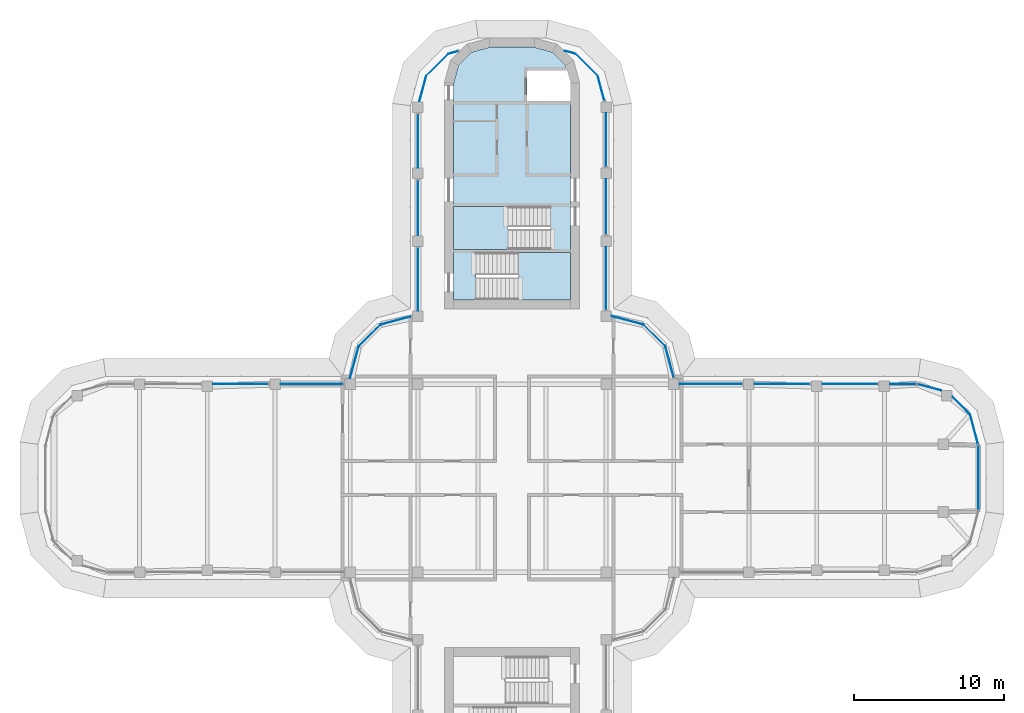
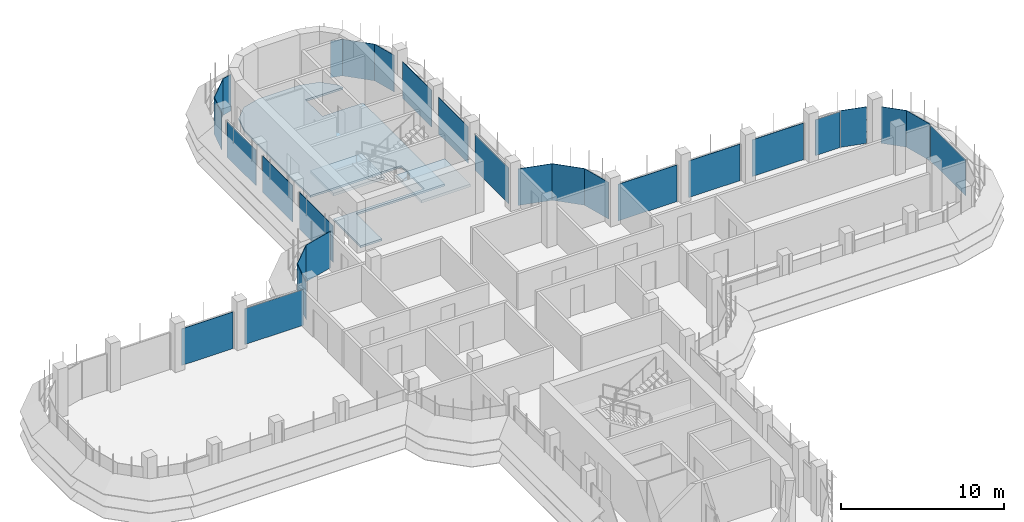
# One storey, part 12 of 19: 28 plates, 3 slabs, 22 elements without a shape of their own.
"""IFC4 building model written with IfcOpenShell, lengths in metres."""

import ifcopenshell
import ifcopenshell.guid

model = None  # the IFC model being written
_history = None  # IfcOwnerHistory: only IFC2X3 demands one
_inside = {}  # id of a spatial element -> (the spatial element, [elements in it])
_under = {}  # id of a project, library or spatial element -> (it, [spatial elements below it])
_declared = {}  # id of a project -> (the project, [libraries it declares])
_typed = {}  # id of a type object -> (the type object, [elements of that type])
_made_of = {}  # id of a material, layer set ... -> (it, [elements and type objects made of it])


def new_model(schema):
    """Start an empty IFC model of exactly this schema.

    Asked for "IFC4X3", IfcOpenShell would pick the latest addendum, in which some entities
    have other attributes; the version numbers below select the first issue.
    IFC2X3 requires an IfcOwnerHistory on every rooted entity: one is made here for all.
    """
    global model, _history
    if schema == "IFC4X3":
        model = ifcopenshell.file(schema_version=(4, 3, 0, 0))
    else:
        model = ifcopenshell.file(schema=schema)
    _inside.clear()
    _under.clear()
    _declared.clear()
    _typed.clear()
    _made_of.clear()
    _history = None
    if model.schema == "IFC2X3":
        org = make("IfcOrganization", Name="unknown")
        user = make(
            "IfcPersonAndOrganization",
            ThePerson=make("IfcPerson", FamilyName="unknown"),
            TheOrganization=org,
        )
        app = make(
            "IfcApplication",
            ApplicationDeveloper=org,
            Version="unknown",
            ApplicationFullName="unknown",
            ApplicationIdentifier="unknown",
        )
        _history = make(
            "IfcOwnerHistory",
            OwningUser=user,
            OwningApplication=app,
            ChangeAction="ADDED",
            CreationDate=0,
        )
    return model


def make(cls, **values):
    """One entity of the class cls with the attributes given. An attribute that is None is left unset."""
    return model.create_entity(
        cls, **{name: value for name, value in values.items() if value is not None}
    )


def rooted(cls, **values):
    """An entity with a GlobalId (a new one), such as an element, a storey or a relation."""
    return make(cls, GlobalId=ifcopenshell.guid.new(), OwnerHistory=_history, **values)


def si_unit(unit_type, name, prefix=None):
    """IfcSIUnit, for example si_unit("LENGTHUNIT", "METRE", prefix="MILLI")."""
    return make("IfcSIUnit", UnitType=unit_type, Prefix=prefix, Name=name)


def assignment(units):
    """IfcUnitAssignment: the units of a project."""
    return None if units is None else make("IfcUnitAssignment", Units=units)


def point(xyz):
    """IfcCartesianPoint."""
    return None if xyz is None else make("IfcCartesianPoint", Coordinates=xyz)


def direction(xyz):
    """IfcDirection."""
    return None if xyz is None else make("IfcDirection", DirectionRatios=xyz)


def frame(location, z_axis=None, x_axis=None):
    """IfcAxis2Placement3D, a coordinate frame: its origin and axes. An axis left out is left unset."""
    return make(
        "IfcAxis2Placement3D",
        Location=point(location),
        Axis=direction(z_axis),
        RefDirection=direction(x_axis),
    )


def origin():
    """The frame at (0, 0, 0) with its axes left unset."""
    return frame((0.0, 0.0, 0.0))


def place(relative_to, where):
    """IfcLocalPlacement: puts the frame where relative to a parent placement (None: the world)."""
    return make(
        "IfcLocalPlacement", PlacementRelTo=relative_to, RelativePlacement=where
    )


def context(
    kind, dimensions, precision=None, world=None, true_north=None, identifier=None
):
    """IfcGeometricRepresentationContext, for example the 3D "Model" context."""
    return make(
        "IfcGeometricRepresentationContext",
        ContextIdentifier=identifier,
        ContextType=kind,
        CoordinateSpaceDimension=dimensions,
        Precision=precision,
        WorldCoordinateSystem=world,
        TrueNorth=true_north,
    )


def subcontext(parent, identifier, kind, view, scale=None):
    """IfcGeometricRepresentationSubContext, for example "Body" below "Model"."""
    return make(
        "IfcGeometricRepresentationSubContext",
        ContextIdentifier=identifier,
        ContextType=kind,
        ParentContext=parent,
        TargetScale=scale,
        TargetView=view,
    )


def project(units=None, contexts=None):
    """IfcProject with its units and contexts."""
    return rooted(
        "IfcProject",
        Name="project",
        RepresentationContexts=contexts,
        UnitsInContext=assignment(units),
    )


def spatial(cls, under=None, at=None, **own):
    """A site, building, storey or space (cls), placed at a placement, below another one or the project."""
    s = rooted(cls, ObjectPlacement=at, **own)
    if under is not None:
        _under.setdefault(under.id(), (under, []))[1].append(s)
    return s


def polyline(points):
    """IfcPolyline through the points."""
    return make("IfcPolyline", Points=[point(p) for p in points])


def outline(outer, holes=None, kind="AREA"):
    """IfcArbitraryClosedProfileDef: a profile drawn as a closed curve; with holes, ...WithVoids."""
    if holes is None:
        return make("IfcArbitraryClosedProfileDef", ProfileType=kind, OuterCurve=outer)
    return make(
        "IfcArbitraryProfileDefWithVoids",
        ProfileType=kind,
        OuterCurve=outer,
        InnerCurves=holes,
    )


def extrude(swept, where, along, depth):
    """IfcExtrudedAreaSolid: the profile swept, set in the frame where, extruded along a direction by depth."""
    return make(
        "IfcExtrudedAreaSolid",
        SweptArea=swept,
        Position=where,
        ExtrudedDirection=direction(along),
        Depth=depth,
    )


def shape(context_of_items, identifier, shape_type, items):
    """IfcShapeRepresentation: the items that make up one representation, for example the "Body"."""
    return make(
        "IfcShapeRepresentation",
        ContextOfItems=context_of_items,
        RepresentationIdentifier=identifier,
        RepresentationType=shape_type,
        Items=items,
    )


def source(mapping_origin, context_of_items, identifier, shape_type, items):
    """IfcRepresentationMap: a shape defined once, which mapped items show again and again."""
    return make(
        "IfcRepresentationMap",
        MappingOrigin=mapping_origin,
        MappedRepresentation=shape(context_of_items, identifier, shape_type, items),
    )


def transform(
    local_origin,
    x_axis=None,
    y_axis=None,
    z_axis=None,
    scale=None,
    scale2=None,
    scale3=None,
    uniform=True,
):
    """IfcCartesianTransformationOperator3D, or its non-uniform kind. x_axis, y_axis, z_axis: its Axis1, 2, 3."""
    if uniform:
        return make(
            "IfcCartesianTransformationOperator3D",
            Axis1=direction(x_axis),
            Axis2=direction(y_axis),
            LocalOrigin=point(local_origin),
            Scale=scale,
            Axis3=direction(z_axis),
        )
    return make(
        "IfcCartesianTransformationOperator3DnonUniform",
        Axis1=direction(x_axis),
        Axis2=direction(y_axis),
        LocalOrigin=point(local_origin),
        Scale=scale,
        Axis3=direction(z_axis),
        Scale2=scale2,
        Scale3=scale3,
    )


def mapped(mapping_source, mapping_target):
    """IfcMappedItem: shows the shape of a source again, moved by a transform."""
    return make(
        "IfcMappedItem", MappingSource=mapping_source, MappingTarget=mapping_target
    )


def material(Name=None, Category=None):
    """IfcMaterial."""
    return make("IfcMaterial", Name=Name, Category=Category)


def layer(
    of_material, thickness, ventilated=None, Name=None, Category=None, Priority=None
):
    """IfcMaterialLayer: one layer of a wall or slab, of a material (None: an air gap)."""
    return make(
        "IfcMaterialLayer",
        Material=of_material,
        LayerThickness=thickness,
        IsVentilated=ventilated,
        Name=Name,
        Category=Category,
        Priority=Priority,
    )


def layer_set(layers, Name=None):
    """IfcMaterialLayerSet."""
    return make("IfcMaterialLayerSet", MaterialLayers=layers, LayerSetName=Name)


def made_of(thing, what):
    """Note that an element or type object is made of a material, layer set ...; save() writes the relation."""
    if what is not None:
        _made_of.setdefault(what.id(), (what, []))[1].append(thing)
    return thing


def type_object(cls, material=None, **own):
    """A type object (cls), such as IfcWallType, which elements share."""
    return made_of(rooted(cls, **own), material)


def element(
    cls,
    number,
    at=None,
    inside=None,
    cuts=None,
    type_object=None,
    material=None,
    context=None,
    identifier="Body",
    shape_type=None,
    held_by="IfcProductDefinitionShape",
    body=None,
    shapes=None,
    **own,
):
    """One element of the class cls, such as IfcWall. Its Tag is "e" and its number.

    at: its placement. inside: the storey or other place that contains it. cuts: it is an
    opening in that element (IfcRelVoidsElement). A single representation is given by context,
    identifier, shape_type and body (its items); several are given by shapes. held_by: the class
    of the entity that holds the representations. save() writes the other relations.
    """
    e = rooted(cls, Tag="e%d" % number, ObjectPlacement=at, **own)
    if body is not None:
        shapes = [shape(context, identifier, shape_type, body)]
    if shapes is not None:
        e.Representation = make(held_by, Representations=shapes)
    if inside is not None:
        _inside.setdefault(inside.id(), (inside, []))[1].append(e)
    if cuts is not None:
        rooted(
            "IfcRelVoidsElement", RelatingBuildingElement=cuts, RelatedOpeningElement=e
        )
    if type_object is not None:
        _typed.setdefault(type_object.id(), (type_object, []))[1].append(e)
    return made_of(e, material)


def aggregate(whole, parts):
    """IfcRelAggregates: a whole, such as a stair, and the parts it consists of."""
    return rooted("IfcRelAggregates", RelatingObject=whole, RelatedObjects=parts)


def save(model, path):
    """Write the relations noted so far, then the file.

    IfcRelAggregates (storeys below a building ...), IfcRelContainedInSpatialStructure (elements
    in a storey), IfcRelDefinesByType, IfcRelAssociatesMaterial and IfcRelDeclares: one each for
    every whole, place, type object, material and project.
    """
    for whole, parts in _under.values():
        aggregate(whole, parts)
    for where, things in _inside.values():
        rooted(
            "IfcRelContainedInSpatialStructure",
            RelatedElements=things,
            RelatingStructure=where,
        )
    for kind, things in _typed.values():
        rooted("IfcRelDefinesByType", RelatedObjects=things, RelatingType=kind)
    for what, things in _made_of.values():
        rooted("IfcRelAssociatesMaterial", RelatedObjects=things, RelatingMaterial=what)
    for by, libraries in _declared.values():
        rooted("IfcRelDeclares", RelatingContext=by, RelatedDefinitions=libraries)
    model.write(path)


model = new_model("IFC4")

# Units and contexts
model_context = context("Model", 3, precision=1e-05, world=origin(), true_north=direction((0.0, 1.0)))
body_context = subcontext(model_context, "Body", "Model", "MODEL_VIEW")
ifc_project = project(units=[si_unit("LENGTHUNIT", "METRE"), si_unit("AREAUNIT", "SQUARE_METRE"), si_unit("VOLUMEUNIT", "CUBIC_METRE"), si_unit("PLANEANGLEUNIT", "RADIAN"), si_unit("MASSUNIT", "GRAM", prefix="KILO")], contexts=[model_context])

# Site, building, storey
site_placement = place(None, origin())
site = spatial("IfcSite", under=ifc_project, at=site_placement, CompositionType="ELEMENT")
building_placement = place(site_placement, origin())
building = spatial("IfcBuilding", under=site, at=building_placement, Name="Zarbagh Exchange Tower", CompositionType="ELEMENT")
storey_placement = place(building_placement, frame((0.0, 0.0, 233.39990234375)))
storey = spatial("IfcBuildingStorey", under=building, at=storey_placement, Name="L57", CompositionType="ELEMENT", Elevation=233.39990234375)

# Slab
ifc_material_1 = material(Name="Concrete C40/50", Category="concrete")
ifc_layer_1 = layer(ifc_material_1, 0.14990234375)
ifc_layer_set_1 = layer_set([ifc_layer_1], Name="Core floor slab 150 C40/50")
slab_type_1 = type_object("IfcSlabType", Name="Core floor slab 150 C40/50", PredefinedType="FLOOR", material=ifc_layer_set_1)
slab_1_placement = place(storey_placement, frame((0.0, 0.0, -0.14990234375)))
element("IfcSlab", 1, at=slab_1_placement, inside=storey, type_object=slab_type_1, Name="S17 core N", PredefinedType="FLOOR", context=body_context, shape_type="SweptSolid", body=[
    extrude(outline(polyline([(-3.89990234375, 11.85009765625), (-3.89990234375, 15.199951171875), (2.550048828125, 15.199951171875), (2.550048828125, 18.050048828125), (-3.89990234375, 18.050048828125), (-3.89990234375, 26.1708984375), (-3.56005859375, 27.439453125), (-2.689453125, 28.31005859375), (-1.4208984375, 28.64990234375), (1.4208984375, 28.64990234375), (2.689453125, 28.31005859375), (3.56005859375, 27.439453125), (3.651123046875, 27.10009765625), (1.0, 27.10009765625), (1.0, 25.050048828125), (3.89990234375, 25.050048828125), (3.89990234375, 15.0), (-2.39990234375, 15.0), (-2.39990234375, 11.85009765625), (-3.89990234375, 11.85009765625)])), origin(), (0.0, 0.0, 1.0), 0.14990234375),
])

# Stair, slab
stair_type = type_object("IfcStairType", Name="Exit stair two-flight half-turn", PredefinedType="HALF_TURN_STAIR", material=ifc_material_1)
stair_1_placement = place(storey_placement, origin())
stair_1 = element("IfcStair", 2, at=stair_1_placement, inside=storey, type_object=stair_type, Name="exit stair ST1", PredefinedType="HALF_TURN_STAIR")
ifc_layer_2 = layer(ifc_material_1, 0.199951171875)
ifc_layer_set_2 = layer_set([ifc_layer_2], Name="Stair landing 200 mm")
slab_type_2 = type_object("IfcSlabType", Name="Stair landing 200 mm", PredefinedType="LANDING", material=ifc_layer_set_2)
slab_2_placement = place(storey_placement, frame((0.0, 0.0, 1.7001953125)))
slab_2 = element("IfcSlab", 3, at=slab_2_placement, type_object=slab_type_2, Name="ST1 landing 1", PredefinedType="LANDING", context=body_context, shape_type="SweptSolid", body=[
    extrude(outline(polyline([(-0.25, 18.050048828125), (-3.89990234375, 18.050048828125), (-3.89990234375, 15.199951171875), (-0.25, 15.199951171875), (-0.25, 18.050048828125)])), origin(), (0.0, 0.0, 1.0), 0.199951171875),
])
aggregate(stair_1, [slab_2])

stair_2_placement = place(storey_placement, origin())
stair_2 = element("IfcStair", 4, at=stair_2_placement, inside=storey, type_object=stair_type, Name="exit stair ST2", PredefinedType="HALF_TURN_STAIR")
slab_3_placement = place(storey_placement, frame((0.0, 0.0, 1.7001953125)))
slab_3 = element("IfcSlab", 5, at=slab_3_placement, type_object=slab_type_2, Name="ST2 landing 1", PredefinedType="LANDING", context=body_context, shape_type="SweptSolid", body=[
    extrude(outline(polyline([(0.39990234375, 11.85009765625), (3.89990234375, 11.85009765625), (3.89990234375, 15.0), (0.39990234375, 15.0), (0.39990234375, 11.85009765625)])), origin(), (0.0, 0.0, 1.0), 0.199951171875),
])
aggregate(stair_2, [slab_3])

# Curtain wall, plate
ifc_material_2 = material(Name="Anodised aluminium frame and glazing", Category="aluminium")
curtain_wall_type = type_object("IfcCurtainWallType", Name="CWB Ribbon glazing, upper zones", PredefinedType="NOTDEFINED", material=ifc_material_2)
curtain_wall_1_placement = place(storey_placement, origin())
curtain_wall_1 = element("IfcCurtainWall", 6, at=curtain_wall_1_placement, inside=storey, type_object=curtain_wall_type, Name="CWB18 curtain wall", PredefinedType="NOTDEFINED")
ifc_material_3 = material(Name="Low-e double glazed unit, 6+12+6 mm")
ifc_layer_3 = layer(ifc_material_3, 0.031982421875)
ifc_layer_set_3 = layer_set([ifc_layer_3], Name="PAB Glazing panel, Low-e double glazed unit, 6+12+6 mm")
plate_type = type_object("IfcPlateType", Name="PAB Glazing panel, Low-e double glazed unit, 6+12+6 mm", PredefinedType="CURTAIN_PANEL", material=ifc_layer_set_3)
shared_shape_1 = source(origin(), body_context, "Body", "SweptSolid", [
    extrude(outline(polyline([(0.0, -0.01611328125), (2.061279296875, -0.01611328125), (2.061279296875, 0.01611328125), (0.0, 0.01611328125), (0.0, -0.01611328125)])), origin(), (0.0, 0.0, 1.0), 2.75),
])
placement = place(storey_placement, origin())
plate_1 = element("IfcPlate", 7, at=placement, type_object=plate_type, Name="CWB18 glazing panel 1.1", PredefinedType="CURTAIN_PANEL", context=body_context, shape_type="MappedRepresentation", body=[
    mapped(shared_shape_1, transform((10.19873046875, 8.7412109375, 0.0), x_axis=(-0.707106781187, 0.707106781187, 0.0), y_axis=(-0.707106781187, -0.707106781187, 0.0), z_axis=(0.0, 0.0, 1.0))),
])
aggregate(curtain_wall_1, [plate_1])

curtain_wall_2_placement = place(storey_placement, origin())
curtain_wall_2 = element("IfcCurtainWall", 8, at=curtain_wall_2_placement, inside=storey, type_object=curtain_wall_type, Name="CWB74 curtain wall", PredefinedType="NOTDEFINED")
plate_2 = element("IfcPlate", 9, at=placement, type_object=plate_type, Name="CWB74 glazing panel 1.1", PredefinedType="CURTAIN_PANEL", context=body_context, shape_type="MappedRepresentation", body=[
    mapped(shared_shape_1, transform((5.69873046875, 26.7412109375, 0.0), x_axis=(-0.707106781187, 0.707106781187, 0.0), y_axis=(-0.707106781187, -0.707106781187, 0.0), z_axis=(0.0, 0.0, 1.0))),
])
aggregate(curtain_wall_2, [plate_2])

curtain_wall_3_placement = place(storey_placement, origin())
curtain_wall_3 = element("IfcCurtainWall", 10, at=curtain_wall_3_placement, inside=storey, type_object=curtain_wall_type, Name="CWB71 curtain wall", PredefinedType="NOTDEFINED")
plate_3 = element("IfcPlate", 11, at=placement, type_object=plate_type, Name="CWB71 glazing panel 1.1", PredefinedType="CURTAIN_PANEL", context=body_context, shape_type="MappedRepresentation", body=[
    mapped(shared_shape_1, transform((-4.2412109375, 28.19873046875, 0.0), x_axis=(-0.707106781187, -0.707106781187, 0.0), y_axis=(0.707106781187, -0.707106781187, 0.0), z_axis=(0.0, 0.0, 1.0))),
])
aggregate(curtain_wall_3, [plate_3])

curtain_wall_4_placement = place(storey_placement, origin())
curtain_wall_4 = element("IfcCurtainWall", 12, at=curtain_wall_4_placement, inside=storey, type_object=curtain_wall_type, Name="CWB30 curtain wall", PredefinedType="NOTDEFINED")
plate_4 = element("IfcPlate", 13, at=placement, type_object=plate_type, Name="CWB30 glazing panel 1.1", PredefinedType="CURTAIN_PANEL", context=body_context, shape_type="MappedRepresentation", body=[
    mapped(shared_shape_1, transform((-8.7412109375, 10.19873046875, 0.0), x_axis=(-0.707106781187, -0.707106781187, 0.0), y_axis=(0.707106781187, -0.707106781187, 0.0), z_axis=(0.0, 0.0, 1.0))),
])
aggregate(curtain_wall_4, [plate_4])

curtain_wall_5_placement = place(storey_placement, origin())
curtain_wall_5 = element("IfcCurtainWall", 14, at=curtain_wall_5_placement, inside=storey, type_object=curtain_wall_type, Name="CWB67 curtain wall", PredefinedType="NOTDEFINED")
shared_shape_2 = source(origin(), body_context, "Body", "SweptSolid", [
    extrude(outline(polyline([(0.0, -0.01611328125), (3.56005859375, -0.01611328125), (3.56005859375, 0.01611328125), (0.0, 0.01611328125), (0.0, -0.01611328125)])), origin(), (0.0, 0.0, 1.0), 2.75),
])
plate_5 = element("IfcPlate", 15, at=placement, type_object=plate_type, Name="CWB67 glazing panel 3.1", PredefinedType="CURTAIN_PANEL", context=body_context, shape_type="MappedRepresentation", body=[
    mapped(shared_shape_2, transform((6.25, 20.699951171875, 0.0), x_axis=(0.0, 1.0, 0.0), y_axis=(-1.0, 0.0, 0.0), z_axis=(0.0, 0.0, 1.0))),
])

curtain_wall_6_placement = place(storey_placement, origin())
curtain_wall_6 = element("IfcCurtainWall", 16, at=curtain_wall_6_placement, inside=storey, type_object=curtain_wall_type, Name="CWB12 curtain wall", PredefinedType="NOTDEFINED")
shared_shape_3 = source(origin(), body_context, "Body", "SweptSolid", [
    extrude(outline(polyline([(0.0, -0.01611328125), (4.308349609375, -0.01611328125), (4.308349609375, 0.01611328125), (0.0, 0.01611328125), (0.0, -0.01611328125)])), origin(), (0.0, 0.0, 1.0), 2.68994140625),
])
plate_6 = element("IfcPlate", 17, at=placement, type_object=plate_type, Name="CWB12 glazing panel 1.1", PredefinedType="CURTAIN_PANEL", context=body_context, shape_type="MappedRepresentation", body=[
    mapped(shared_shape_3, transform((31.0, -2.124267578125, 0.0), x_axis=(0.0, 1.0, 0.0), y_axis=(-1.0, 0.0, 0.0), z_axis=(0.0, 0.0, 1.0))),
])
aggregate(curtain_wall_6, [plate_6])

curtain_wall_7_placement = place(storey_placement, origin())
curtain_wall_7 = element("IfcCurtainWall", 18, at=curtain_wall_7_placement, inside=storey, type_object=curtain_wall_type, Name="CWB13 curtain wall", PredefinedType="NOTDEFINED")
shared_shape_4 = source(origin(), body_context, "Body", "SweptSolid", [
    extrude(outline(polyline([(0.0, -0.01611328125), (2.069580078125, -0.01611328125), (2.069580078125, 0.01611328125), (0.0, 0.01611328125), (0.0, -0.01611328125)])), origin(), (0.0, 0.0, 1.0), 2.75),
])
plate_7 = element("IfcPlate", 19, at=placement, type_object=plate_type, Name="CWB13 glazing panel 1.1", PredefinedType="CURTAIN_PANEL", context=body_context, shape_type="MappedRepresentation", body=[
    mapped(shared_shape_4, transform((30.984375, 2.2421875, 0.0), x_axis=(-0.258824779902, 0.965924289636, 0.0), y_axis=(-0.965924289636, -0.258824779902, 0.0), z_axis=(0.0, 0.0, 1.0))),
])
aggregate(curtain_wall_7, [plate_7])

curtain_wall_8_placement = place(storey_placement, origin())
curtain_wall_8 = element("IfcCurtainWall", 20, at=curtain_wall_8_placement, inside=storey, type_object=curtain_wall_type, Name="CWB73 curtain wall", PredefinedType="NOTDEFINED")
shared_shape_5 = source(origin(), body_context, "Body", "SweptSolid", [
    extrude(outline(polyline([(0.0, -0.01611328125), (3.56005859375, -0.01611328125), (3.56005859375, 0.01611328125), (0.0, 0.01611328125), (0.0, -0.01611328125)])), origin(), (0.0, 0.0, 1.0), 2.68994140625),
])
plate_8 = element("IfcPlate", 21, at=placement, type_object=plate_type, Name="CWB73 glazing panel 1.1", PredefinedType="CURTAIN_PANEL", context=body_context, shape_type="MappedRepresentation", body=[
    mapped(shared_shape_5, transform((-6.25, 24.199951171875, 0.0), x_axis=(0.0, -1.0, 0.0), y_axis=(1.0, 0.0, 0.0), z_axis=(0.0, 0.0, 1.0))),
])

curtain_wall_9_placement = place(storey_placement, origin())
curtain_wall_9 = element("IfcCurtainWall", 22, at=curtain_wall_9_placement, inside=storey, type_object=curtain_wall_type, Name="CWB72 curtain wall", PredefinedType="NOTDEFINED")
shared_shape_6 = source(origin(), body_context, "Body", "SweptSolid", [
    extrude(outline(polyline([(0.0, -0.01611328125), (1.76123046875, -0.01611328125), (1.76123046875, 0.01611328125), (0.0, 0.01611328125), (0.0, -0.01611328125)])), origin(), (0.0, 0.0, 1.0), 2.75),
])
plate_9 = element("IfcPlate", 23, at=placement, type_object=plate_type, Name="CWB72 glazing panel 1.1", PredefinedType="CURTAIN_PANEL", context=body_context, shape_type="MappedRepresentation", body=[
    mapped(shared_shape_6, transform((-5.69873046875, 26.7412109375, 0.0), x_axis=(-0.258824779902, -0.965924289636, 0.0), y_axis=(0.965924289636, -0.258824779902, 0.0), z_axis=(0.0, 0.0, 1.0))),
])
aggregate(curtain_wall_9, [plate_9])

# Curtain wall, plates
curtain_wall_10_placement = place(storey_placement, origin())
curtain_wall_10 = element("IfcCurtainWall", 24, at=curtain_wall_10_placement, inside=storey, type_object=curtain_wall_type, Name="CWB16 curtain wall", PredefinedType="NOTDEFINED")
shared_shape_7 = source(origin(), body_context, "Body", "SweptSolid", [
    extrude(outline(polyline([(0.0, -0.01611328125), (3.659912109375, -0.01611328125), (3.659912109375, 0.01611328125), (0.0, 0.01611328125), (0.0, -0.01611328125)])), origin(), (0.0, 0.0, 1.0), 2.75),
])
plate_10 = element("IfcPlate", 25, at=placement, type_object=plate_type, Name="CWB16 glazing panel 2.1", PredefinedType="CURTAIN_PANEL", context=body_context, shape_type="MappedRepresentation", body=[
    mapped(shared_shape_7, transform((24.300048828125, 6.25, 0.0), x_axis=(-1.0, 0.0, 0.0), y_axis=(0.0, -1.0, 0.0), z_axis=(0.0, 0.0, 1.0))),
])
plate_11 = element("IfcPlate", 26, at=placement, type_object=plate_type, Name="CWB16 glazing panel 3.1", PredefinedType="CURTAIN_PANEL", context=body_context, shape_type="MappedRepresentation", body=[
    mapped(shared_shape_7, transform((19.800048828125, 6.25, 0.0), x_axis=(-1.0, 0.0, 0.0), y_axis=(0.0, -1.0, 0.0), z_axis=(0.0, 0.0, 1.0))),
])

# Plate
plate_12 = element("IfcPlate", 27, at=placement, type_object=plate_type, Name="CWB67 glazing panel 2.1", PredefinedType="CURTAIN_PANEL", context=body_context, shape_type="MappedRepresentation", body=[
    mapped(shared_shape_7, transform((6.25, 16.199951171875, 0.0), x_axis=(0.0, 1.0, 0.0), y_axis=(-1.0, 0.0, 0.0), z_axis=(0.0, 0.0, 1.0))),
])

plate_13 = element("IfcPlate", 28, at=placement, type_object=plate_type, Name="CWB73 glazing panel 2.1", PredefinedType="CURTAIN_PANEL", context=body_context, shape_type="MappedRepresentation", body=[
    mapped(shared_shape_7, transform((-6.25, 19.800048828125, 0.0), x_axis=(0.0, -1.0, 0.0), y_axis=(1.0, 0.0, 0.0), z_axis=(0.0, 0.0, 1.0))),
])

# Curtain wall, plate
curtain_wall_11_placement = place(storey_placement, origin())
curtain_wall_11 = element("IfcCurtainWall", 29, at=curtain_wall_11_placement, inside=storey, type_object=curtain_wall_type, Name="CWB58 curtain wall", PredefinedType="NOTDEFINED")
plate_14 = element("IfcPlate", 30, at=placement, type_object=plate_type, Name="CWB58 glazing panel 2.1", PredefinedType="CURTAIN_PANEL", context=body_context, shape_type="MappedRepresentation", body=[
    mapped(shared_shape_7, transform((-16.199951171875, 6.25, 0.0), x_axis=(-1.0, 0.0, 0.0), y_axis=(0.0, -1.0, 0.0), z_axis=(0.0, 0.0, 1.0))),
])

# Plate
shared_shape_8 = source(origin(), body_context, "Body", "SweptSolid", [
    extrude(outline(polyline([(0.0, -0.01611328125), (4.159912109375, -0.01611328125), (4.159912109375, 0.01611328125), (0.0, 0.01611328125), (0.0, -0.01611328125)])), origin(), (0.0, 0.0, 1.0), 2.75),
])
plate_15 = element("IfcPlate", 31, at=placement, type_object=plate_type, Name="CWB16 glazing panel 4.1", PredefinedType="CURTAIN_PANEL", context=body_context, shape_type="MappedRepresentation", body=[
    mapped(shared_shape_8, transform((15.300048828125, 6.25, 0.0), x_axis=(-1.0, 0.0, 0.0), y_axis=(0.0, -1.0, 0.0), z_axis=(0.0, 0.0, 1.0))),
])

plate_16 = element("IfcPlate", 32, at=placement, type_object=plate_type, Name="CWB73 glazing panel 3.1", PredefinedType="CURTAIN_PANEL", context=body_context, shape_type="MappedRepresentation", body=[
    mapped(shared_shape_8, transform((-6.25, 15.300048828125, 0.0), x_axis=(0.0, -1.0, 0.0), y_axis=(1.0, 0.0, 0.0), z_axis=(0.0, 0.0, 1.0))),
])

aggregate(curtain_wall_8, [plate_8, plate_13, plate_16])

# Curtain wall, plate
curtain_wall_12_placement = place(storey_placement, origin())
curtain_wall_12 = element("IfcCurtainWall", 33, at=curtain_wall_12_placement, inside=storey, type_object=curtain_wall_type, Name="CWB17 curtain wall", PredefinedType="NOTDEFINED")
shared_shape_9 = source(origin(), body_context, "Body", "SweptSolid", [
    extrude(outline(polyline([(0.0, -0.01611328125), (2.115234375, -0.01611328125), (2.115234375, 0.01611328125), (0.0, 0.01611328125), (0.0, -0.01611328125)])), origin(), (0.0, 0.0, 1.0), 2.75),
])
plate_17 = element("IfcPlate", 34, at=placement, type_object=plate_type, Name="CWB17 glazing panel 1.1", PredefinedType="CURTAIN_PANEL", context=body_context, shape_type="MappedRepresentation", body=[
    mapped(shared_shape_9, transform((10.746337890625, 6.697998046875, 0.0), x_axis=(-0.258824779902, 0.965924289636, 0.0), y_axis=(-0.965924289636, -0.258824779902, 0.0), z_axis=(0.0, 0.0, 1.0))),
])
aggregate(curtain_wall_12, [plate_17])

curtain_wall_13_placement = place(storey_placement, origin())
curtain_wall_13 = element("IfcCurtainWall", 35, at=curtain_wall_13_placement, inside=storey, type_object=curtain_wall_type, Name="CWB29 curtain wall", PredefinedType="NOTDEFINED")
plate_18 = element("IfcPlate", 36, at=placement, type_object=plate_type, Name="CWB29 glazing panel 1.1", PredefinedType="CURTAIN_PANEL", context=body_context, shape_type="MappedRepresentation", body=[
    mapped(shared_shape_9, transform((-6.697998046875, 10.746337890625, 0.0), x_axis=(-0.965924289636, -0.258824779902, 0.0), y_axis=(0.258824779902, -0.965924289636, 0.0), z_axis=(0.0, 0.0, 1.0))),
])
aggregate(curtain_wall_13, [plate_18])

curtain_wall_14_placement = place(storey_placement, origin())
curtain_wall_14 = element("IfcCurtainWall", 37, at=curtain_wall_14_placement, inside=storey, type_object=curtain_wall_type, Name="CWB19 curtain wall", PredefinedType="NOTDEFINED")
shared_shape_10 = source(origin(), body_context, "Body", "SweptSolid", [
    extrude(outline(polyline([(0.0, -0.01611328125), (2.17529296875, -0.01611328125), (2.17529296875, 0.01611328125), (0.0, 0.01611328125), (0.0, -0.01611328125)])), origin(), (0.0, 0.0, 1.0), 2.75),
])
plate_19 = element("IfcPlate", 38, at=placement, type_object=plate_type, Name="CWB19 glazing panel 1.1", PredefinedType="CURTAIN_PANEL", context=body_context, shape_type="MappedRepresentation", body=[
    mapped(shared_shape_10, transform((8.7412109375, 10.19873046875, 0.0), x_axis=(-0.965924289636, 0.258824779902, 0.0), y_axis=(-0.258824779902, -0.965924289636, 0.0), z_axis=(0.0, 0.0, 1.0))),
])
aggregate(curtain_wall_14, [plate_19])

curtain_wall_15_placement = place(storey_placement, origin())
curtain_wall_15 = element("IfcCurtainWall", 39, at=curtain_wall_15_placement, inside=storey, type_object=curtain_wall_type, Name="CWB31 curtain wall", PredefinedType="NOTDEFINED")
plate_20 = element("IfcPlate", 40, at=placement, type_object=plate_type, Name="CWB31 glazing panel 1.1", PredefinedType="CURTAIN_PANEL", context=body_context, shape_type="MappedRepresentation", body=[
    mapped(shared_shape_10, transform((-10.19873046875, 8.7412109375, 0.0), x_axis=(-0.258824779902, -0.965924289636, 0.0), y_axis=(0.965924289636, -0.258824779902, 0.0), z_axis=(0.0, 0.0, 1.0))),
])
aggregate(curtain_wall_15, [plate_20])

# Plate
shared_shape_11 = source(origin(), body_context, "Body", "SweptSolid", [
    extrude(outline(polyline([(0.0, -0.01611328125), (4.159912109375, -0.01611328125), (4.159912109375, 0.01611328125), (0.0, 0.01611328125), (0.0, -0.01611328125)])), origin(), (0.0, 0.0, 1.0), 2.68994140625),
])
plate_21 = element("IfcPlate", 41, at=placement, type_object=plate_type, Name="CWB67 glazing panel 1.1", PredefinedType="CURTAIN_PANEL", context=body_context, shape_type="MappedRepresentation", body=[
    mapped(shared_shape_11, transform((6.25, 11.199951171875, 0.0), x_axis=(0.0, 1.0, 0.0), y_axis=(-1.0, 0.0, 0.0), z_axis=(0.0, 0.0, 1.0))),
])

aggregate(curtain_wall_5, [plate_21, plate_12, plate_5])

plate_22 = element("IfcPlate", 42, at=placement, type_object=plate_type, Name="CWB58 glazing panel 1.1", PredefinedType="CURTAIN_PANEL", context=body_context, shape_type="MappedRepresentation", body=[
    mapped(shared_shape_11, transform((-11.199951171875, 6.25, 0.0), x_axis=(-1.0, 0.0, 0.0), y_axis=(0.0, -1.0, 0.0), z_axis=(0.0, 0.0, 1.0))),
])

aggregate(curtain_wall_11, [plate_22, plate_14])

# Curtain wall, plate
curtain_wall_16_placement = place(storey_placement, origin())
curtain_wall_16 = element("IfcCurtainWall", 43, at=curtain_wall_16_placement, inside=storey, type_object=curtain_wall_type, Name="CWB14 curtain wall", PredefinedType="NOTDEFINED")
shared_shape_12 = source(origin(), body_context, "Body", "SweptSolid", [
    extrude(outline(polyline([(0.0, -0.01611328125), (1.62744140625, -0.01611328125), (1.62744140625, 0.01611328125), (0.0, 0.01611328125), (0.0, -0.01611328125)])), origin(), (0.0, 0.0, 1.0), 2.75),
])
plate_23 = element("IfcPlate", 44, at=placement, type_object=plate_type, Name="CWB14 glazing panel 1.1", PredefinedType="CURTAIN_PANEL", context=body_context, shape_type="MappedRepresentation", body=[
    mapped(shared_shape_12, transform((30.44873046875, 4.2412109375, 0.0), x_axis=(-0.707106781187, 0.707106781187, 0.0), y_axis=(-0.707106781187, -0.707106781187, 0.0), z_axis=(0.0, 0.0, 1.0))),
])
aggregate(curtain_wall_16, [plate_23])

curtain_wall_17_placement = place(storey_placement, origin())
curtain_wall_17 = element("IfcCurtainWall", 45, at=curtain_wall_17_placement, inside=storey, type_object=curtain_wall_type, Name="CWB15 curtain wall", PredefinedType="NOTDEFINED")
shared_shape_13 = source(origin(), body_context, "Body", "SweptSolid", [
    extrude(outline(polyline([(0.0, -0.01611328125), (1.6396484375, -0.01611328125), (1.6396484375, 0.01611328125), (0.0, 0.01611328125), (0.0, -0.01611328125)])), origin(), (0.0, 0.0, 1.0), 2.75),
])
plate_24 = element("IfcPlate", 46, at=placement, type_object=plate_type, Name="CWB15 glazing panel 1.1", PredefinedType="CURTAIN_PANEL", context=body_context, shape_type="MappedRepresentation", body=[
    mapped(shared_shape_13, transform((28.51806640625, 5.82568359375, 0.0), x_axis=(-0.965924289636, 0.258824779902, 0.0), y_axis=(-0.258824779902, -0.965924289636, 0.0), z_axis=(0.0, 0.0, 1.0))),
])
aggregate(curtain_wall_17, [plate_24])

# Plate
shared_shape_14 = source(origin(), body_context, "Body", "SweptSolid", [
    extrude(outline(polyline([(0.0, -0.01611328125), (1.734130859375, -0.01611328125), (1.734130859375, 0.01611328125), (0.0, 0.01611328125), (0.0, -0.01611328125)])), origin(), (0.0, 0.0, 1.0), 2.68994140625),
])
plate_25 = element("IfcPlate", 47, at=placement, type_object=plate_type, Name="CWB16 glazing panel 1.1", PredefinedType="CURTAIN_PANEL", context=body_context, shape_type="MappedRepresentation", body=[
    mapped(shared_shape_14, transform((26.874267578125, 6.25, 0.0), x_axis=(-1.0, 0.0, 0.0), y_axis=(0.0, -1.0, 0.0), z_axis=(0.0, 0.0, 1.0))),
])

aggregate(curtain_wall_10, [plate_25, plate_10, plate_11, plate_15])

# Curtain wall, plate
curtain_wall_18_placement = place(storey_placement, origin())
curtain_wall_18 = element("IfcCurtainWall", 48, at=curtain_wall_18_placement, inside=storey, type_object=curtain_wall_type, Name="CWB68 curtain wall", PredefinedType="NOTDEFINED")
shared_shape_15 = source(origin(), body_context, "Body", "SweptSolid", [
    extrude(outline(polyline([(0.0, -0.01611328125), (1.701171875, -0.01611328125), (1.701171875, 0.01611328125), (0.0, 0.01611328125), (0.0, -0.01611328125)])), origin(), (0.0, 0.0, 1.0), 2.75),
])
plate_26 = element("IfcPlate", 49, at=placement, type_object=plate_type, Name="CWB68 glazing panel 1.1", PredefinedType="CURTAIN_PANEL", context=body_context, shape_type="MappedRepresentation", body=[
    mapped(shared_shape_15, transform((6.13916015625, 25.097900390625, 0.0), x_axis=(-0.258824779902, 0.965924289636, 0.0), y_axis=(-0.965924289636, -0.258824779902, 0.0), z_axis=(0.0, 0.0, 1.0))),
])
aggregate(curtain_wall_18, [plate_26])

curtain_wall_19_placement = place(storey_placement, origin())
curtain_wall_19 = element("IfcCurtainWall", 50, at=curtain_wall_19_placement, inside=storey, type_object=curtain_wall_type, Name="CWB69 curtain wall", PredefinedType="NOTDEFINED")
shared_shape_16 = source(origin(), body_context, "Body", "SweptSolid", [
    extrude(outline(polyline([(0.0, -0.01611328125), (0.757080078125, -0.01611328125), (0.757080078125, 0.01611328125), (0.0, 0.01611328125), (0.0, -0.01611328125)])), origin(), (0.0, 0.0, 1.0), 2.75),
])
plate_27 = element("IfcPlate", 51, at=placement, type_object=plate_type, Name="CWB69 glazing panel 1.1", PredefinedType="CURTAIN_PANEL", context=body_context, shape_type="MappedRepresentation", body=[
    mapped(shared_shape_16, transform((4.2412109375, 28.19873046875, 0.0), x_axis=(-0.965924289636, 0.258824779902, 0.0), y_axis=(-0.258824779902, -0.965924289636, 0.0), z_axis=(0.0, 0.0, 1.0))),
])
aggregate(curtain_wall_19, [plate_27])

curtain_wall_20_placement = place(storey_placement, origin())
curtain_wall_20 = element("IfcCurtainWall", 52, at=curtain_wall_20_placement, inside=storey, type_object=curtain_wall_type, Name="CWB70 curtain wall", PredefinedType="NOTDEFINED")
shared_shape_17 = source(origin(), body_context, "Body", "SweptSolid", [
    extrude(outline(polyline([(0.0, -0.01611328125), (0.697021484375, -0.01611328125), (0.697021484375, 0.01611328125), (0.0, 0.01611328125), (0.0, -0.01611328125)])), origin(), (0.0, 0.0, 1.0), 2.75),
])
plate_28 = element("IfcPlate", 53, at=placement, type_object=plate_type, Name="CWB70 glazing panel 1.1", PredefinedType="CURTAIN_PANEL", context=body_context, shape_type="MappedRepresentation", body=[
    mapped(shared_shape_17, transform((-3.56787109375, 28.379150390625, 0.0), x_axis=(-0.965924289636, -0.258824779902, 0.0), y_axis=(0.258824779902, -0.965924289636, 0.0), z_axis=(0.0, 0.0, 1.0))),
])
aggregate(curtain_wall_20, [plate_28])

save(model, "model.ifc")
